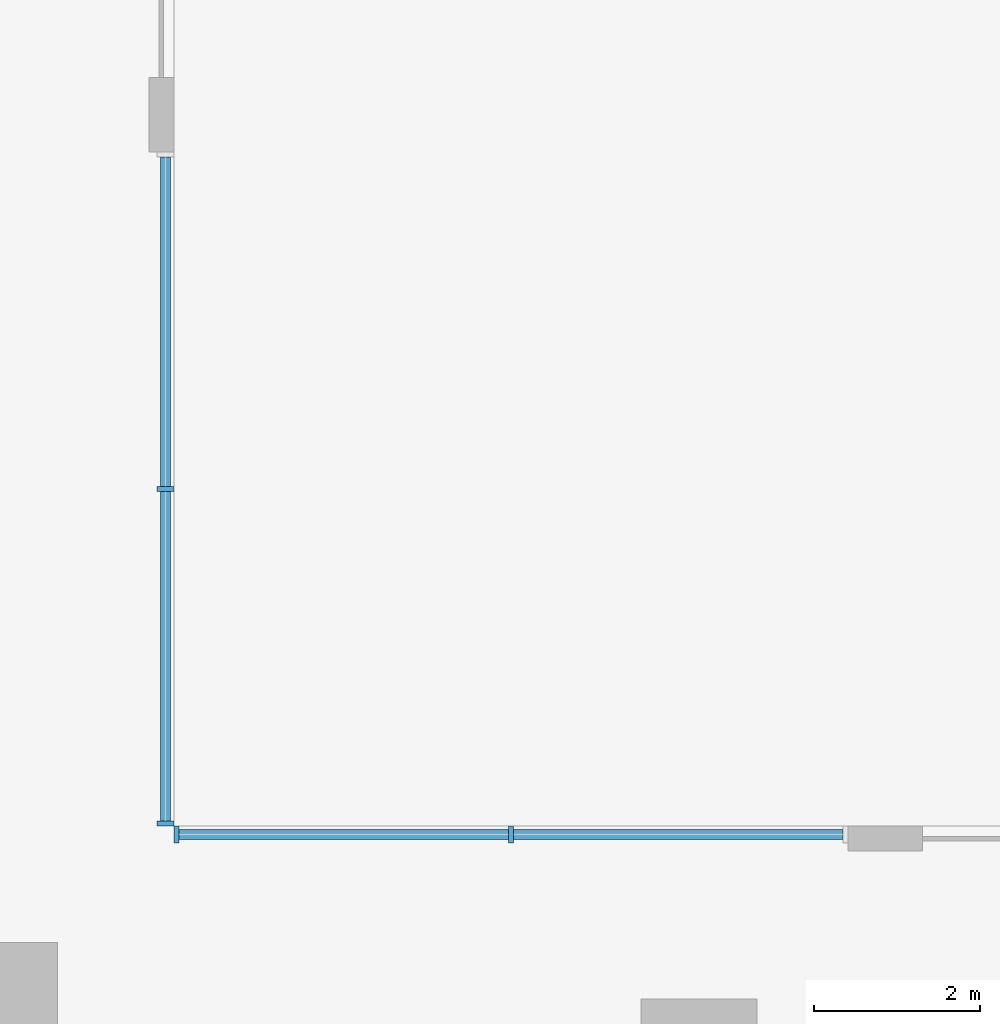
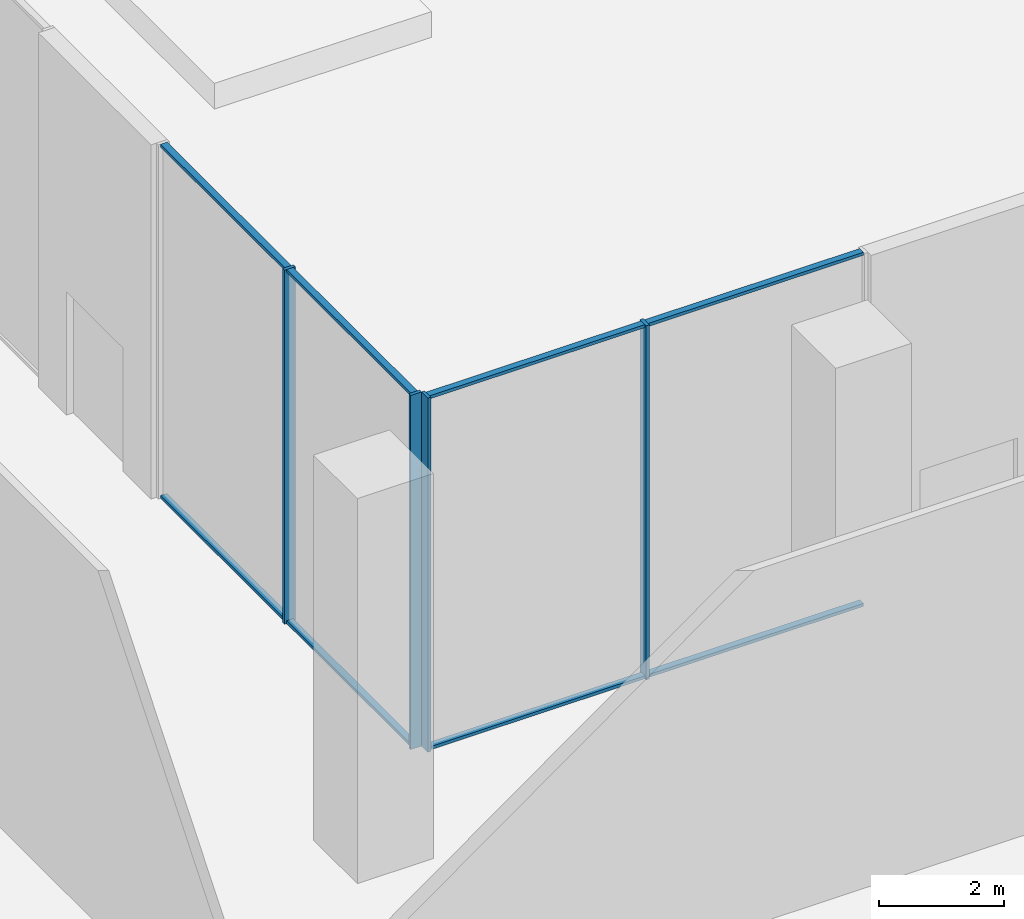
# One storey, part 6 of 26: 12 members, 2 elements without a shape of their own.
"""IFC4 building model written with IfcOpenShell, lengths in metres."""

from ifc_helpers import new_model, si_unit, direction, frame, origin, origin_2d, place, context, subcontext, project, spatial, rectangle, extrude, source, transform, mapped, material, layer, layer_set, material_profile, profile_set, type_object, element, aggregate, save


model = new_model("IFC4")

# Units and contexts
model_context = context("Model", 3, precision=1e-05, world=origin(), true_north=direction((0.0, 1.0)))
body_context = subcontext(model_context, "Body", "Model", "MODEL_VIEW")
ifc_project = project(units=[si_unit("LENGTHUNIT", "METRE"), si_unit("AREAUNIT", "SQUARE_METRE"), si_unit("VOLUMEUNIT", "CUBIC_METRE"), si_unit("PLANEANGLEUNIT", "RADIAN"), si_unit("MASSUNIT", "GRAM", prefix="KILO")], contexts=[model_context])

# Site, building, storey
site_placement = place(None, origin())
site = spatial("IfcSite", under=ifc_project, at=site_placement, CompositionType="ELEMENT")
building_placement = place(site_placement, origin())
building = spatial("IfcBuilding", under=site, at=building_placement, Name="Aurelian Terraces", CompositionType="ELEMENT")
storey_placement = place(building_placement, origin())
storey = spatial("IfcBuildingStorey", under=building, at=storey_placement, Name="L00", CompositionType="ELEMENT", Elevation=0.0)

# Curtain wall, members
ifc_material_1 = material(Name="Anodised aluminium and clear glazing", Category="aluminium")
ifc_layer = layer(ifc_material_1, 0.2)
ifc_layer_set = layer_set([ifc_layer], Name="Podium shopfront curtain wall")
curtain_wall_type = type_object("IfcCurtainWallType", Name="Podium shopfront curtain wall", PredefinedType="NOTDEFINED", material=ifc_layer_set)
curtain_wall_1_placement = place(storey_placement, origin())
curtain_wall_1 = element("IfcCurtainWall", 1, at=curtain_wall_1_placement, inside=storey, type_object=curtain_wall_type, Name="Podium shopfront L00 F03.3", PredefinedType="NOTDEFINED")
ifc_material_2 = material(Name="Anodised aluminium", Category="aluminium")
ifc_material_profile_1 = material_profile(ifc_material_2, rectangle(XDim=0.2, YDim=0.06, at=origin_2d()))
ifc_profile_set_1 = profile_set([ifc_material_profile_1], Name="Anodised aluminium")
member_type_1 = type_object("IfcMemberType", Name="Podium shopfront mullion", PredefinedType="MULLION", material=ifc_profile_set_1)
shared_shape_1 = source(origin(), body_context, "Body", "SweptSolid", [
    extrude(rectangle(XDim=0.2, YDim=0.06, at=origin_2d()), origin(), (0.0, 0.0, 1.0), 6.9),
])
member_1_placement = place(storey_placement, frame((58.235, 54.08, 0.0), z_axis=(0.0, 0.0, 1.0), x_axis=(0.0, -1.0, 0.0)))
member_1 = element("IfcMember", 2, at=member_1_placement, type_object=member_type_1, Name="CW1 mullion 2", PredefinedType="MULLION", context=body_context, shape_type="MappedRepresentation", body=[
    mapped(shared_shape_1, transform((0.0, 0.0, 0.0), scale=1.0)),
])
member_2_placement = place(storey_placement, frame((54.21, 54.08, 0.0), z_axis=(0.0, 0.0, 1.0), x_axis=(0.0, -1.0, 0.0)))
member_2 = element("IfcMember", 3, at=member_2_placement, type_object=member_type_1, Name="CW1 mullion 3", PredefinedType="MULLION", context=body_context, shape_type="MappedRepresentation", body=[
    mapped(shared_shape_1, transform((0.0, 0.0, 0.0), scale=1.0)),
])

curtain_wall_2_placement = place(storey_placement, origin())
curtain_wall_2 = element("IfcCurtainWall", 4, at=curtain_wall_2_placement, inside=storey, type_object=curtain_wall_type, Name="Podium shopfront L00 F04.1", PredefinedType="NOTDEFINED")
member_3_placement = place(storey_placement, frame((54.08, 54.21, 0.0), z_axis=(0.0, 0.0, 1.0), x_axis=(-1.0, 0.0, 0.0)))
member_3 = element("IfcMember", 5, at=member_3_placement, type_object=member_type_1, Name="CW1 mullion 1", PredefinedType="MULLION", context=body_context, shape_type="MappedRepresentation", body=[
    mapped(shared_shape_1, transform((0.0, 0.0, 0.0), scale=1.0)),
])
member_4_placement = place(storey_placement, frame((54.08, 58.235, 0.0), z_axis=(0.0, 0.0, 1.0), x_axis=(-1.0, 0.0, 0.0)))
member_4 = element("IfcMember", 6, at=member_4_placement, type_object=member_type_1, Name="CW1 mullion 2", PredefinedType="MULLION", context=body_context, shape_type="MappedRepresentation", body=[
    mapped(shared_shape_1, transform((0.0, 0.0, 0.0), scale=1.0)),
])

# Member
ifc_material_profile_2 = material_profile(ifc_material_2, rectangle(XDim=0.12, YDim=0.06, at=origin_2d()))
ifc_profile_set_2 = profile_set([ifc_material_profile_2], Name="Anodised aluminium")
member_type_2 = type_object("IfcMemberType", Name="Podium shopfront transom", PredefinedType="USERDEFINED", material=ifc_profile_set_2)
shared_shape_2 = source(origin(), body_context, "Body", "SweptSolid", [
    extrude(rectangle(XDim=0.12, YDim=0.06, at=origin_2d()), origin(), (0.0, 0.0, 1.0), 3.965),
])
member_5_placement = place(storey_placement, frame((62.23, 54.08, 0.03), z_axis=(-1.0, 0.0, 0.0), x_axis=(0.0, -1.0, 0.0)))
member_5 = element("IfcMember", 7, at=member_5_placement, type_object=member_type_2, Name="CW1 transom 1.1", ObjectType="TRANSOM", PredefinedType="USERDEFINED", context=body_context, shape_type="MappedRepresentation", body=[
    mapped(shared_shape_2, transform((0.0, 0.0, 0.0), scale=1.0)),
])

member_6_placement = place(storey_placement, frame((62.23, 54.08, 6.87), z_axis=(-1.0, 0.0, 0.0), x_axis=(0.0, -1.0, 0.0)))
member_6 = element("IfcMember", 8, at=member_6_placement, type_object=member_type_2, Name="CW1 transom 1.2", ObjectType="TRANSOM", PredefinedType="USERDEFINED", context=body_context, shape_type="MappedRepresentation", body=[
    mapped(shared_shape_2, transform((0.0, 0.0, 0.0), scale=1.0)),
])

member_7_placement = place(storey_placement, frame((58.205, 54.08, 0.03), z_axis=(-1.0, 0.0, 0.0), x_axis=(0.0, -1.0, 0.0)))
member_7 = element("IfcMember", 9, at=member_7_placement, type_object=member_type_2, Name="CW1 transom 2.1", ObjectType="TRANSOM", PredefinedType="USERDEFINED", context=body_context, shape_type="MappedRepresentation", body=[
    mapped(shared_shape_2, transform((0.0, 0.0, 0.0), scale=1.0)),
])

member_8_placement = place(storey_placement, frame((58.205, 54.08, 6.87), z_axis=(-1.0, 0.0, 0.0), x_axis=(0.0, -1.0, 0.0)))
member_8 = element("IfcMember", 10, at=member_8_placement, type_object=member_type_2, Name="CW1 transom 2.2", ObjectType="TRANSOM", PredefinedType="USERDEFINED", context=body_context, shape_type="MappedRepresentation", body=[
    mapped(shared_shape_2, transform((0.0, 0.0, 0.0), scale=1.0)),
])

aggregate(curtain_wall_1, [member_1, member_2, member_5, member_6, member_7, member_8])

member_9_placement = place(storey_placement, frame((54.08, 54.24, 0.03), z_axis=(0.0, 1.0, 0.0), x_axis=(-1.0, 0.0, 0.0)))
member_9 = element("IfcMember", 11, at=member_9_placement, type_object=member_type_2, Name="CW1 transom 1.1", ObjectType="TRANSOM", PredefinedType="USERDEFINED", context=body_context, shape_type="MappedRepresentation", body=[
    mapped(shared_shape_2, transform((0.0, 0.0, 0.0), scale=1.0)),
])

member_10_placement = place(storey_placement, frame((54.08, 54.24, 6.87), z_axis=(0.0, 1.0, 0.0), x_axis=(-1.0, 0.0, 0.0)))
member_10 = element("IfcMember", 12, at=member_10_placement, type_object=member_type_2, Name="CW1 transom 1.2", ObjectType="TRANSOM", PredefinedType="USERDEFINED", context=body_context, shape_type="MappedRepresentation", body=[
    mapped(shared_shape_2, transform((0.0, 0.0, 0.0), scale=1.0)),
])

member_11_placement = place(storey_placement, frame((54.08, 58.265, 0.03), z_axis=(0.0, 1.0, 0.0), x_axis=(-1.0, 0.0, 0.0)))
member_11 = element("IfcMember", 13, at=member_11_placement, type_object=member_type_2, Name="CW1 transom 2.1", ObjectType="TRANSOM", PredefinedType="USERDEFINED", context=body_context, shape_type="MappedRepresentation", body=[
    mapped(shared_shape_2, transform((0.0, 0.0, 0.0), scale=1.0)),
])

member_12_placement = place(storey_placement, frame((54.08, 58.265, 6.87), z_axis=(0.0, 1.0, 0.0), x_axis=(-1.0, 0.0, 0.0)))
member_12 = element("IfcMember", 14, at=member_12_placement, type_object=member_type_2, Name="CW1 transom 2.2", ObjectType="TRANSOM", PredefinedType="USERDEFINED", context=body_context, shape_type="MappedRepresentation", body=[
    mapped(shared_shape_2, transform((0.0, 0.0, 0.0), scale=1.0)),
])

aggregate(curtain_wall_2, [member_3, member_4, member_9, member_10, member_11, member_12])

save(model, "model.ifc")
